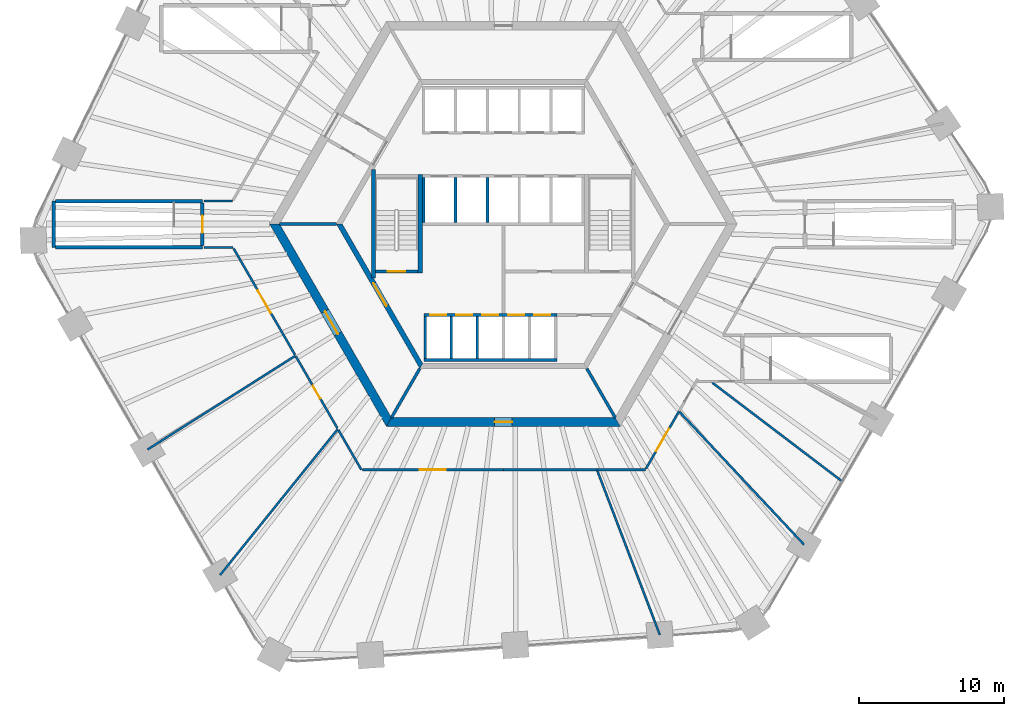
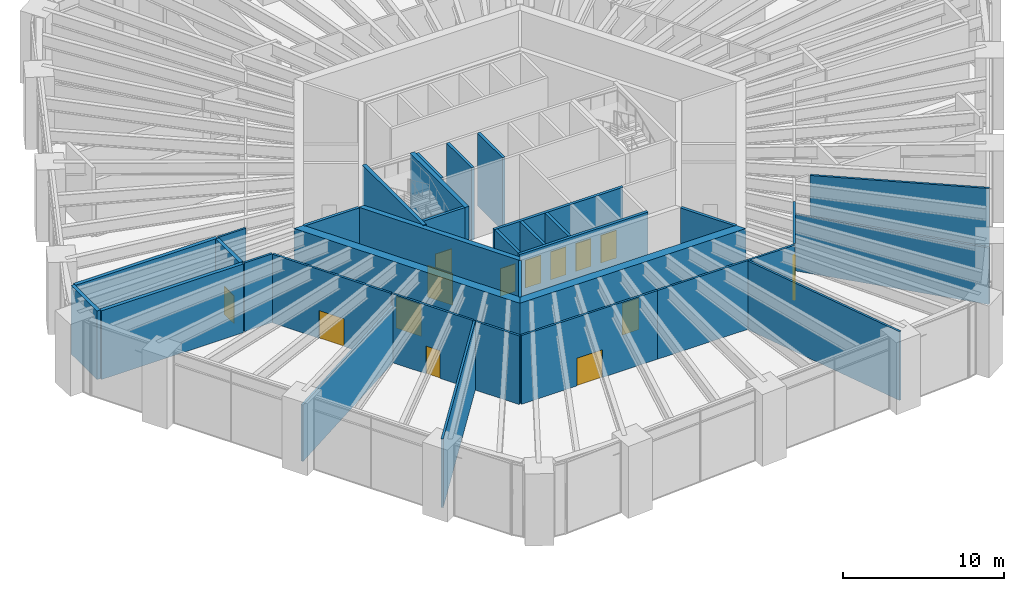
# One storey, part 20 of 25: 35 walls, 14 doors, 14 openings.
"""IFC4 building model written with IfcOpenShell, lengths in metres."""

from ifc_helpers import new_model, si_unit, direction, frame, frame_2d, origin, place, context, subcontext, project, spatial, polyline, rectangle, outline, extrude, material, layer, layer_set, type_object, element, fill, save


model = new_model("IFC4")

# Units and contexts
model_context = context("Model", 3, precision=1e-05, world=origin(), true_north=direction((0.0, 1.0)))
body_context = subcontext(model_context, "Body", "Model", "MODEL_VIEW")
ifc_project = project(units=[si_unit("LENGTHUNIT", "METRE"), si_unit("AREAUNIT", "SQUARE_METRE"), si_unit("VOLUMEUNIT", "CUBIC_METRE"), si_unit("PLANEANGLEUNIT", "RADIAN"), si_unit("MASSUNIT", "GRAM", prefix="KILO")], contexts=[model_context])

# Site, building, storey
site_placement = place(None, origin())
site = spatial("IfcSite", under=ifc_project, at=site_placement, CompositionType="ELEMENT")
building_placement = place(site_placement, origin())
building = spatial("IfcBuilding", under=site, at=building_placement, Name="Tarnside Tower", CompositionType="ELEMENT")
storey_placement = place(building_placement, frame((0.0, 0.0, 26.0)))
storey = spatial("IfcBuildingStorey", under=building, at=storey_placement, Name="L04", CompositionType="ELEMENT", Elevation=26.0)

# Wall, opening, door
ifc_material_1 = material(Name="Concrete C50/60", Category="concrete")
ifc_layer_1 = layer(ifc_material_1, 0.35009765625)
ifc_layer_set_1 = layer_set([ifc_layer_1], Name="Core block wall 350 C50/60")
wall_type_1 = type_object("IfcWallType", Name="Core block wall 350 C50/60", PredefinedType="SHEAR", material=ifc_layer_set_1)
wall_1_placement = place(storey_placement, frame((-11.344970703125, 0.0, -0.25), z_axis=(0.0, 0.0, 1.0), x_axis=(0.499995046907, -0.866028263435, 0.0)))
wall_1 = element("IfcWall", 1, at=wall_1_placement, inside=storey, type_object=wall_type_1, Name="L04 core block wall face 3", PredefinedType="SHEAR", context=body_context, shape_type="SweptSolid", body=[
    extrude(outline(polyline([(-0.10107421875, -0.175048828125), (11.44580078125, -0.175048828125), (11.24365234375, 0.175048828125), (0.10107421875, 0.175048828125), (-0.10107421875, -0.175048828125)])), origin(), (0.0, 0.0, 1.0), 5.449951171875),
])
opening_1_placement = place(wall_1_placement, frame((4.74365234375, 0.0, 0.25)))
opening_1 = element("IfcOpeningElement", 2, at=opening_1_placement, cuts=wall_1, Name="Opening CD-FFL", PredefinedType="OPENING", context=body_context, shape_type="SweptSolid", body=[
    extrude(rectangle(XDim=1.800048828125, YDim=2.39990234375, at=frame_2d((0.89990234375, 1.199951171875))), frame((0.0, 0.18505859375, 0.0), z_axis=(0.0, -1.0, 0.0), x_axis=(1.0, 0.0, 0.0)), (0.0, 0.0, 1.0), 0.3701171875),
])
ifc_material_2 = material(Name="Steel fire door", Category="steel")
door_type_1 = type_object("IfcDoorType", Name="Firefighting lobby double door FD60S 1800x2400", OperationType="NOTDEFINED", PredefinedType="DOOR", material=ifc_material_2)
door_1_placement = place(opening_1_placement, origin())
door_1 = element("IfcDoor", 3, at=door_1_placement, inside=storey, type_object=door_type_1, Name="L04 lobby block door P3", OperationType="DOUBLE_DOOR_SINGLE_SWING", OverallHeight=2.39990234375, OverallWidth=1.800048828125, PredefinedType="DOOR", context=body_context, shape_type="SweptSolid", body=[
    extrude(rectangle(XDim=1.800048828125, YDim=2.39990234375, at=frame_2d((0.89990234375, 1.199951171875))), frame((0.0, 0.02490234375, 0.0), z_axis=(0.0, -1.0, 0.0), x_axis=(1.0, 0.0, 0.0)), (0.0, 0.0, 1.0), 0.050048828125),
])
fill(opening_1, door_1)

ifc_material_3 = material(Name="Concrete C80/95", Category="concrete")
ifc_layer_2 = layer(ifc_material_3, 0.60009765625)
ifc_layer_set_2 = layer_set([ifc_layer_2], Name="Core wall Z1 600 C80/95")
wall_type_2 = type_object("IfcWallType", Name="Core wall Z1 600 C80/95", PredefinedType="SHEAR", material=ifc_layer_set_2)
wall_2_placement = place(storey_placement, frame((-15.8193359375, 0.0, -0.25), z_axis=(0.0, 0.0, 1.0), x_axis=(0.499999880136, -0.866025472988, 0.0)))
wall_2 = element("IfcWall", 4, at=wall_2_placement, inside=storey, type_object=wall_type_2, Name="L04 core wall face 3", PredefinedType="SHEAR", context=body_context, shape_type="SweptSolid", body=[
    extrude(outline(polyline([(-0.17333984375, -0.300048828125), (15.99267578125, -0.300048828125), (15.64599609375, 0.300048828125), (0.17333984375, 0.300048828125), (-0.17333984375, -0.300048828125)])), origin(), (0.0, 0.0, 1.0), 5.449951171875),
])
opening_2_placement = place(wall_2_placement, frame((6.980712890625, 0.0, 0.25)))
opening_2 = element("IfcOpeningElement", 5, at=opening_2_placement, cuts=wall_2, Name="Opening CD-FFL", PredefinedType="OPENING", context=body_context, shape_type="SweptSolid", body=[
    extrude(rectangle(XDim=1.800048828125, YDim=2.39990234375, at=frame_2d((0.89990234375, 1.199951171875))), frame((0.0, 0.31005859375, 0.0), z_axis=(0.0, -1.0, 0.0), x_axis=(1.0, 0.0, 0.0)), (0.0, 0.0, 1.0), 0.6201171875),
])
door_2_placement = place(opening_2_placement, origin())
door_2 = element("IfcDoor", 6, at=door_2_placement, inside=storey, type_object=door_type_1, Name="L04 core door P3", OperationType="DOUBLE_DOOR_SINGLE_SWING", OverallHeight=2.39990234375, OverallWidth=1.800048828125, PredefinedType="DOOR", context=body_context, shape_type="SweptSolid", body=[
    extrude(rectangle(XDim=1.800048828125, YDim=2.39990234375, at=frame_2d((0.89990234375, 1.199951171875))), frame((0.0, 0.02490234375, 0.0), z_axis=(0.0, -1.0, 0.0), x_axis=(1.0, 0.0, 0.0)), (0.0, 0.0, 1.0), 0.050048828125),
])
fill(opening_2, door_2)

wall_3_placement = place(storey_placement, frame((-7.90966796875, -13.699951171875, -0.25), z_axis=(0.0, 0.0, 1.0), x_axis=(1.0, 0.0, 0.0)))
wall_3 = element("IfcWall", 7, at=wall_3_placement, inside=storey, type_object=wall_type_2, Name="L04 core wall face 4", PredefinedType="SHEAR", context=body_context, shape_type="SweptSolid", body=[
    extrude(outline(polyline([(-0.17333984375, -0.300048828125), (15.99267578125, -0.300048828125), (15.64599609375, 0.300048828125), (0.17333984375, 0.300048828125), (-0.17333984375, -0.300048828125)])), origin(), (0.0, 0.0, 1.0), 5.449951171875),
])
opening_3_placement = place(wall_3_placement, frame((7.309814453125, 0.0, 0.25)))
opening_3 = element("IfcOpeningElement", 8, at=opening_3_placement, cuts=wall_3, Name="Opening CD-RSR", PredefinedType="OPENING", context=body_context, shape_type="SweptSolid", body=[
    extrude(rectangle(XDim=1.199951171875, YDim=2.39990234375, at=frame_2d((0.60009765625, 1.199951171875))), frame((0.0, 0.31005859375, 0.0), z_axis=(0.0, -1.0, 0.0), x_axis=(1.0, 0.0, 0.0)), (0.0, 0.0, 1.0), 0.6201171875),
])
door_type_2 = type_object("IfcDoorType", Name="Riser door FD60 1200x2400", OperationType="NOTDEFINED", PredefinedType="DOOR", material=ifc_material_2)
door_3_placement = place(opening_3_placement, origin())
door_3 = element("IfcDoor", 9, at=door_3_placement, inside=storey, type_object=door_type_2, Name="L04 core door S6", OperationType="SINGLE_SWING_LEFT", OverallHeight=2.39990234375, OverallWidth=1.199951171875, PredefinedType="DOOR", context=body_context, shape_type="SweptSolid", body=[
    extrude(rectangle(XDim=1.199951171875, YDim=2.39990234375, at=frame_2d((0.60009765625, 1.199951171875))), frame((0.0, 0.02490234375, 0.0), z_axis=(0.0, -1.0, 0.0), x_axis=(1.0, 0.0, 0.0)), (0.0, 0.0, 1.0), 0.050048828125),
])
fill(opening_3, door_3)

# Walls
ifc_material_4 = material(Name="Concrete C40/50", Category="concrete")
ifc_layer_3 = layer(ifc_material_4, 0.199951171875)
ifc_layer_set_3 = layer_set([ifc_layer_3], Name="Lift shaft wall 200 C40/50")
wall_type_3 = type_object("IfcWallType", Name="Lift shaft wall 200 C40/50", PredefinedType="SHEAR", material=ifc_layer_set_3)
for number, where, z_axis, x_axis, name in (
    (10, (-5.5, 0.10009765625, -0.25), (0.0, 0.0, 1.0), (0.0, 1.0, 0.0), "L04 lift shaft partition R21"),
    (11, (-3.300048828125, 0.10009765625, -0.25), (0.0, 0.0, 1.0), (0.0, 1.0, 0.0), "L04 lift shaft partition R22"),
    (12, (-1.10009765625, 0.10009765625, -0.25), (0.0, 0.0, 1.0), (0.0, 1.0, 0.0), "L04 lift shaft partition R23"),
):
    element("IfcWall", number, at=place(storey_placement, frame(where, z_axis=z_axis, x_axis=x_axis)), inside=storey, type_object=wall_type_3, Name=name, PredefinedType="SHEAR", context=body_context, shape_type="SweptSolid", body=[
        extrude(rectangle(XDim=3.099853515625, YDim=0.199951171875, at=frame_2d((1.5498046875, 0.0))), origin(), (0.0, 0.0, 1.0), 5.5),
    ])

# Wall, openings, doors
wall_4_placement = place(storey_placement, frame((-5.5, -6.300048828125, -0.25), z_axis=(0.0, 0.0, 1.0), x_axis=(1.0, 0.0, 0.0)))
wall_4 = element("IfcWall", 13, at=wall_4_placement, inside=storey, type_object=wall_type_3, Name="L04 lift shaft front wall R4", PredefinedType="SHEAR", context=body_context, shape_type="SweptSolid", body=[
    extrude(rectangle(XDim=9.199951171875, YDim=0.199951171875, at=frame_2d((4.60009765625, 0.0))), origin(), (0.0, 0.0, 1.0), 5.5),
])
opening_4_placement = place(wall_4_placement, frame((0.449951171875, 0.0, 0.25)))
opening_4 = element("IfcOpeningElement", 14, at=opening_4_placement, cuts=wall_4, Name="Opening LDF", PredefinedType="OPENING", context=body_context, shape_type="SweptSolid", body=[
    extrude(rectangle(XDim=1.10009765625, YDim=2.10009765625, at=frame_2d((0.550048828125, 1.050048828125))), frame((0.0, 0.10986328125, 0.0), z_axis=(0.0, -1.0, 0.0), x_axis=(1.0, 0.0, 0.0)), (0.0, 0.0, 1.0), 0.219970703125),
])
opening_5_placement = place(wall_4_placement, frame((2.25, 0.0, 0.25)))
opening_5 = element("IfcOpeningElement", 15, at=opening_5_placement, cuts=wall_4, Name="Opening LDF", PredefinedType="OPENING", context=body_context, shape_type="SweptSolid", body=[
    extrude(rectangle(XDim=1.10009765625, YDim=2.10009765625, at=frame_2d((0.550048828125, 1.050048828125))), frame((0.0, 0.10986328125, 0.0), z_axis=(0.0, -1.0, 0.0), x_axis=(1.0, 0.0, 0.0)), (0.0, 0.0, 1.0), 0.219970703125),
])
opening_6_placement = place(wall_4_placement, frame((4.050048828125, 0.0, 0.25)))
opening_6 = element("IfcOpeningElement", 16, at=opening_6_placement, cuts=wall_4, Name="Opening LDF", PredefinedType="OPENING", context=body_context, shape_type="SweptSolid", body=[
    extrude(rectangle(XDim=1.10009765625, YDim=2.10009765625, at=frame_2d((0.550048828125, 1.050048828125))), frame((0.0, 0.10986328125, 0.0), z_axis=(0.0, -1.0, 0.0), x_axis=(1.0, 0.0, 0.0)), (0.0, 0.0, 1.0), 0.219970703125),
])
opening_7_placement = place(wall_4_placement, frame((5.85009765625, 0.0, 0.25)))
opening_7 = element("IfcOpeningElement", 17, at=opening_7_placement, cuts=wall_4, Name="Opening LDF", PredefinedType="OPENING", context=body_context, shape_type="SweptSolid", body=[
    extrude(rectangle(XDim=1.10009765625, YDim=2.10009765625, at=frame_2d((0.550048828125, 1.050048828125))), frame((0.0, 0.10986328125, 0.0), z_axis=(0.0, -1.0, 0.0), x_axis=(1.0, 0.0, 0.0)), (0.0, 0.0, 1.0), 0.219970703125),
])
opening_8_placement = place(wall_4_placement, frame((7.64990234375, 0.0, 0.25)))
opening_8 = element("IfcOpeningElement", 18, at=opening_8_placement, cuts=wall_4, Name="Opening LDF", PredefinedType="OPENING", context=body_context, shape_type="SweptSolid", body=[
    extrude(rectangle(XDim=1.10009765625, YDim=2.10009765625, at=frame_2d((0.550048828125, 1.050048828125))), frame((0.0, 0.10986328125, 0.0), z_axis=(0.0, -1.0, 0.0), x_axis=(1.0, 0.0, 0.0)), (0.0, 0.0, 1.0), 0.219970703125),
])
ifc_material_5 = material(Name="Stainless steel", Category="steel")
door_type_3 = type_object("IfcDoorType", Name="Lift landing door 1100x2100 EI 120", OperationType="NOTDEFINED", PredefinedType="DOOR", material=ifc_material_5)
door_4_placement = place(opening_4_placement, origin())
door_4 = element("IfcDoor", 19, at=door_4_placement, inside=storey, type_object=door_type_3, Name="Firefighting lift 1 landing door L04", OperationType="SLIDING_TO_LEFT", OverallHeight=2.10009765625, OverallWidth=1.10009765625, PredefinedType="DOOR", context=body_context, shape_type="SweptSolid", body=[
    extrude(rectangle(XDim=1.10009765625, YDim=2.10009765625, at=frame_2d((0.550048828125, 1.050048828125))), frame((0.0, 0.02490234375, 0.0), z_axis=(0.0, -1.0, 0.0), x_axis=(1.0, 0.0, 0.0)), (0.0, 0.0, 1.0), 0.050048828125),
])
fill(opening_4, door_4)
door_5_placement = place(opening_5_placement, origin())
door_5 = element("IfcDoor", 20, at=door_5_placement, inside=storey, type_object=door_type_3, Name="Firefighting lift 2 landing door L04", OperationType="SLIDING_TO_LEFT", OverallHeight=2.10009765625, OverallWidth=1.10009765625, PredefinedType="DOOR", context=body_context, shape_type="SweptSolid", body=[
    extrude(rectangle(XDim=1.10009765625, YDim=2.10009765625, at=frame_2d((0.550048828125, 1.050048828125))), frame((0.0, 0.02490234375, 0.0), z_axis=(0.0, -1.0, 0.0), x_axis=(1.0, 0.0, 0.0)), (0.0, 0.0, 1.0), 0.050048828125),
])
fill(opening_5, door_5)
door_6_placement = place(opening_6_placement, origin())
door_6 = element("IfcDoor", 21, at=door_6_placement, inside=storey, type_object=door_type_3, Name="Firefighting lift 3 landing door L04", OperationType="SLIDING_TO_LEFT", OverallHeight=2.10009765625, OverallWidth=1.10009765625, PredefinedType="DOOR", context=body_context, shape_type="SweptSolid", body=[
    extrude(rectangle(XDim=1.10009765625, YDim=2.10009765625, at=frame_2d((0.550048828125, 1.050048828125))), frame((0.0, 0.02490234375, 0.0), z_axis=(0.0, -1.0, 0.0), x_axis=(1.0, 0.0, 0.0)), (0.0, 0.0, 1.0), 0.050048828125),
])
fill(opening_6, door_6)
door_7_placement = place(opening_7_placement, origin())
door_7 = element("IfcDoor", 22, at=door_7_placement, inside=storey, type_object=door_type_3, Name="Firefighting lift 4 landing door L04", OperationType="SLIDING_TO_LEFT", OverallHeight=2.10009765625, OverallWidth=1.10009765625, PredefinedType="DOOR", context=body_context, shape_type="SweptSolid", body=[
    extrude(rectangle(XDim=1.10009765625, YDim=2.10009765625, at=frame_2d((0.550048828125, 1.050048828125))), frame((0.0, 0.02490234375, 0.0), z_axis=(0.0, -1.0, 0.0), x_axis=(1.0, 0.0, 0.0)), (0.0, 0.0, 1.0), 0.050048828125),
])
fill(opening_7, door_7)
door_8_placement = place(opening_8_placement, origin())
door_8 = element("IfcDoor", 23, at=door_8_placement, inside=storey, type_object=door_type_3, Name="Firefighting lift 5 landing door L04", OperationType="SLIDING_TO_LEFT", OverallHeight=2.10009765625, OverallWidth=1.10009765625, PredefinedType="DOOR", context=body_context, shape_type="SweptSolid", body=[
    extrude(rectangle(XDim=1.10009765625, YDim=2.10009765625, at=frame_2d((0.550048828125, 1.050048828125))), frame((0.0, 0.02490234375, 0.0), z_axis=(0.0, -1.0, 0.0), x_axis=(1.0, 0.0, 0.0)), (0.0, 0.0, 1.0), 0.050048828125),
])
fill(opening_8, door_8)

# Walls
wall_5_placement = place(storey_placement, frame((-5.5, -9.39990234375, -0.25), z_axis=(0.0, 0.0, 1.0), x_axis=(1.0, 0.0, 0.0)))
element("IfcWall", 24, at=wall_5_placement, inside=storey, type_object=wall_type_3, Name="L04 lift shaft back wall R4", PredefinedType="SHEAR", context=body_context, shape_type="SweptSolid", body=[
    extrude(rectangle(XDim=9.199951171875, YDim=0.199951171875, at=frame_2d((4.60009765625, 0.0))), origin(), (0.0, 0.0, 1.0), 5.5),
])
for number, where, z_axis, x_axis, name in (
    (25, (-5.39990234375, -9.300048828125, -0.25), (0.0, 0.0, 1.0), (0.0, 1.0, 0.0), "L04 lift shaft partition R41"),
    (26, (-3.60009765625, -9.300048828125, -0.25), (0.0, 0.0, 1.0), (0.0, 1.0, 0.0), "L04 lift shaft partition R42"),
    (27, (-1.800048828125, -9.300048828125, -0.25), (0.0, 0.0, 1.0), (0.0, 1.0, 0.0), "L04 lift shaft partition R43"),
):
    element("IfcWall", number, at=place(storey_placement, frame(where, z_axis=z_axis, x_axis=x_axis)), inside=storey, type_object=wall_type_3, Name=name, PredefinedType="SHEAR", context=body_context, shape_type="SweptSolid", body=[
        extrude(rectangle(XDim=2.900146484375, YDim=0.199951171875, at=frame_2d((1.4501953125, 0.0))), origin(), (0.0, 0.0, 1.0), 5.5),
    ])
wall_6_placement = place(storey_placement, frame((-11.547119140625, 0.0, -0.25), z_axis=(0.0, 0.0, 1.0), x_axis=(-1.0, 0.0, 0.0)))
element("IfcWall", 28, at=wall_6_placement, inside=storey, type_object=wall_type_3, Name="L04 core partition AR180", PredefinedType="SHEAR", context=body_context, shape_type="SweptSolid", body=[
    extrude(rectangle(XDim=3.92578125, YDim=0.199951171875, at=frame_2d((1.962890625, 0.0))), origin(), (0.0, 0.0, 1.0), 5.449951171875),
])
for number, where, z_axis, x_axis, name in (
    (29, (-5.7734375, -10.0, -0.25), (0.0, 0.0, 1.0), (-0.500038251005, -0.86600331843, 0.0), "L04 core partition AR240"),
    (30, (5.7734375, -10.0, -0.25), (0.0, 0.0, 1.0), (0.500038251005, -0.86600331843, 0.0), "L04 core partition AR300"),
):
    element("IfcWall", number, at=place(storey_placement, frame(where, z_axis=z_axis, x_axis=x_axis)), inside=storey, type_object=wall_type_3, Name=name, PredefinedType="SHEAR", context=body_context, shape_type="SweptSolid", body=[
        extrude(rectangle(XDim=3.926025390625, YDim=0.199951171875, at=frame_2d((1.962890625, 0.0))), origin(), (0.0, 0.0, 1.0), 5.449951171875),
    ])

# Wall, opening, door
wall_7_placement = place(storey_placement, frame((-8.85009765625, -3.300048828125, -0.25), z_axis=(0.0, 0.0, 1.0), x_axis=(1.0, 0.0, 0.0)))
wall_7 = element("IfcWall", 31, at=wall_7_placement, inside=storey, type_object=wall_type_3, Name="L04 stair 2 enclosure cap wall s", PredefinedType="SHEAR", context=body_context, shape_type="SweptSolid", body=[
    extrude(rectangle(XDim=2.9501953125, YDim=0.199951171875, at=frame_2d((1.47509765625, 0.0))), origin(), (0.0, 0.0, 1.0), 5.5),
])
opening_9_placement = place(wall_7_placement, frame((0.875, 0.0, 0.25)))
opening_9 = element("IfcOpeningElement", 32, at=opening_9_placement, cuts=wall_7, Name="Opening CD-STR", PredefinedType="OPENING", context=body_context, shape_type="SweptSolid", body=[
    extrude(rectangle(XDim=1.199951171875, YDim=2.39990234375, at=frame_2d((0.60009765625, 1.199951171875))), frame((0.0, 0.10986328125, 0.0), z_axis=(0.0, -1.0, 0.0), x_axis=(1.0, 0.0, 0.0)), (0.0, 0.0, 1.0), 0.219970703125),
])
door_type_4 = type_object("IfcDoorType", Name="Stair door FD60S 1200x2400", OperationType="NOTDEFINED", PredefinedType="DOOR", material=ifc_material_2)
door_9_placement = place(opening_9_placement, origin())
door_9 = element("IfcDoor", 33, at=door_9_placement, inside=storey, type_object=door_type_4, Name="L04 stair 2 door", OperationType="SINGLE_SWING_LEFT", OverallHeight=2.39990234375, OverallWidth=1.199951171875, PredefinedType="DOOR", context=body_context, shape_type="SweptSolid", body=[
    extrude(rectangle(XDim=1.199951171875, YDim=2.39990234375, at=frame_2d((0.60009765625, 1.199951171875))), frame((0.0, 0.02490234375, 0.0), z_axis=(0.0, -1.0, 0.0), x_axis=(1.0, 0.0, 0.0)), (0.0, 0.0, 1.0), 0.050048828125),
])
fill(opening_9, door_9)

# Walls
ifc_material_6 = material(Name="Gypsum board")
ifc_layer_4 = layer(ifc_material_6, 0.14990234375)
ifc_layer_set_4 = layer_set([ifc_layer_4], Name="Partition 150 gypsum board on metal stud")
wall_type_4 = type_object("IfcWallType", Name="Partition 150 gypsum board on metal stud", PredefinedType="PARTITIONING", material=ifc_layer_set_4)
wall_8_placement = place(storey_placement, frame((-24.595947265625, -15.59912109375, 0.0), z_axis=(0.0, 0.0, 1.0), x_axis=(0.844484782983, 0.535579547136, 0.0)))
element("IfcWall", 34, at=wall_8_placement, inside=storey, type_object=wall_type_4, Name="Partition 002", PredefinedType="PARTITIONING", context=body_context, shape_type="SweptSolid", body=[
    extrude(rectangle(XDim=12.1103515625, YDim=0.14990234375, at=frame_2d((6.05517578125, 0.0))), origin(), (0.0, 0.0, 1.0), 4.2734375),
])
wall_9_placement = place(storey_placement, frame((-20.679931640625, 1.574951171875, 0.0), z_axis=(0.0, 0.0, 1.0), x_axis=(1.0, 0.0, 0.0)))
element("IfcWall", 35, at=wall_9_placement, inside=storey, type_object=wall_type_4, Name="Partition 008", PredefinedType="PARTITIONING", context=body_context, shape_type="SweptSolid", body=[
    extrude(rectangle(XDim=1.958984375, YDim=0.14990234375, at=frame_2d((0.9794921875, 0.0))), origin(), (0.0, 0.0, 1.0), 5.199951171875),
])
wall_10_placement = place(storey_placement, frame((-19.583984375, -24.280029296875, 0.0), z_axis=(0.0, 0.0, 1.0), x_axis=(0.627807267634, 0.77836882948, 0.0)))
element("IfcWall", 36, at=wall_10_placement, inside=storey, type_object=wall_type_4, Name="Partition 009", PredefinedType="PARTITIONING", context=body_context, shape_type="SweptSolid", body=[
    extrude(rectangle(XDim=12.970703125, YDim=0.14990234375, at=frame_2d((6.4853515625, 0.0))), origin(), (0.0, 0.0, 1.0), 5.199951171875),
])
wall_11_placement = place(storey_placement, frame((-18.69189453125, -1.625, 0.0), z_axis=(0.0, 0.0, 1.0), x_axis=(-1.0, 0.0, 0.0)))
element("IfcWall", 37, at=wall_11_placement, inside=storey, type_object=wall_type_4, Name="Partition 010", PredefinedType="PARTITIONING", context=body_context, shape_type="SweptSolid", body=[
    extrude(rectangle(XDim=1.988037109375, YDim=0.14990234375, at=frame_2d((0.994140625, 0.0))), origin(), (0.0, 0.0, 1.0), 5.199951171875),
])

# Wall, opening, door
wall_12_placement = place(storey_placement, frame((-18.648681640625, -1.699951171875, 0.0), z_axis=(0.0, 0.0, 1.0), x_axis=(0.499976511579, -0.866038964406, 0.0)))
wall_12 = element("IfcWall", 38, at=wall_12_placement, inside=storey, type_object=wall_type_4, Name="Partition 011", PredefinedType="PARTITIONING", context=body_context, shape_type="SweptSolid", body=[
    extrude(rectangle(XDim=8.48486328125, YDim=0.14990234375, at=frame_2d((4.242431640625, 0.0))), origin(), (0.0, 0.0, 1.0), 5.199951171875),
])
opening_10_placement = place(wall_12_placement, frame((3.34228515625, 0.0, 0.0)))
opening_10 = element("IfcOpeningElement", 39, at=opening_10_placement, cuts=wall_12, Name="Opening D1800F30", PredefinedType="OPENING", context=body_context, shape_type="SweptSolid", body=[
    extrude(rectangle(XDim=1.800048828125, YDim=2.10009765625, at=frame_2d((0.89990234375, 1.050048828125))), frame((0.0, 0.0849609375, 0.0), z_axis=(0.0, -1.0, 0.0), x_axis=(1.0, 0.0, 0.0)), (0.0, 0.0, 1.0), 0.169921875),
])
ifc_material_7 = material(Name="Timber door leaf", Category="wood")
door_type_5 = type_object("IfcDoorType", Name="Door pair 1800 x 2100 FD30S fire door", OperationType="NOTDEFINED", PredefinedType="DOOR", material=ifc_material_7)
door_10_placement = place(opening_10_placement, origin())
door_10 = element("IfcDoor", 40, at=door_10_placement, inside=storey, type_object=door_type_5, Name="Door L04-02", OperationType="DOUBLE_DOOR_SINGLE_SWING", OverallHeight=2.10009765625, OverallWidth=1.800048828125, PredefinedType="DOOR", context=body_context, shape_type="SweptSolid", body=[
    extrude(rectangle(XDim=1.800048828125, YDim=2.10009765625, at=frame_2d((0.89990234375, 1.050048828125))), frame((0.0, 0.02490234375, 0.0), z_axis=(0.0, -1.0, 0.0), x_axis=(1.0, 0.0, 0.0)), (0.0, 0.0, 1.0), 0.050048828125),
])
fill(opening_10, door_10)

wall_13_placement = place(storey_placement, frame((-11.481201171875, -14.1142578125, 0.0), z_axis=(0.0, 0.0, 1.0), x_axis=(-0.500049947645, 0.865996564577, 0.0)))
wall_13 = element("IfcWall", 41, at=wall_13_placement, inside=storey, type_object=wall_type_4, Name="Partition 014", PredefinedType="PARTITIONING", context=body_context, shape_type="SweptSolid", body=[
    extrude(rectangle(XDim=5.7001953125, YDim=0.14990234375, at=frame_2d((2.85009765625, 0.0))), origin(), (0.0, 0.0, 1.0), 5.199951171875),
])
opening_11_placement = place(wall_13_placement, frame((2.35009765625, 0.0, 0.0)))
opening_11 = element("IfcOpeningElement", 42, at=opening_11_placement, cuts=wall_13, Name="Opening D1000F30", PredefinedType="OPENING", context=body_context, shape_type="SweptSolid", body=[
    extrude(rectangle(XDim=1.0, YDim=2.10009765625, at=frame_2d((0.5, 1.050048828125))), frame((0.0, 0.0849609375, 0.0), z_axis=(0.0, -1.0, 0.0), x_axis=(1.0, 0.0, 0.0)), (0.0, 0.0, 1.0), 0.169921875),
])
door_type_6 = type_object("IfcDoorType", Name="Door 1000 x 2100 single leaf FD30S fire door", OperationType="NOTDEFINED", PredefinedType="DOOR", material=ifc_material_7)
door_11_placement = place(opening_11_placement, origin())
door_11 = element("IfcDoor", 43, at=door_11_placement, inside=storey, type_object=door_type_6, Name="Door L04-03", OperationType="SINGLE_SWING_RIGHT", OverallHeight=2.10009765625, OverallWidth=1.0, PredefinedType="DOOR", context=body_context, shape_type="SweptSolid", body=[
    extrude(rectangle(XDim=1.0, YDim=2.10009765625, at=frame_2d((0.5, 1.050048828125))), frame((0.0, 0.02490234375, 0.0), z_axis=(0.0, -1.0, 0.0), x_axis=(1.0, 0.0, 0.0)), (0.0, 0.0, 1.0), 0.050048828125),
])
fill(opening_11, door_11)

# Wall
wall_14_placement = place(storey_placement, frame((-11.40087890625, -14.253662109375, 0.0), z_axis=(0.0, 0.0, 1.0), x_axis=(0.500080068905, -0.865979171045, 0.0)))
element("IfcWall", 44, at=wall_14_placement, inside=storey, type_object=wall_type_4, Name="Partition 021", PredefinedType="PARTITIONING", context=body_context, shape_type="SweptSolid", body=[
    extrude(rectangle(XDim=3.17138671875, YDim=0.14990234375, at=frame_2d((1.585693359375, 0.0))), origin(), (0.0, 0.0, 1.0), 5.199951171875),
])

# Wall, opening, door
wall_15_placement = place(storey_placement, frame((0.0, -17.0, 0.0), z_axis=(0.0, 0.0, 1.0), x_axis=(-1.0, 0.0, 0.0)))
wall_15 = element("IfcWall", 45, at=wall_15_placement, inside=storey, type_object=wall_type_4, Name="Partition 029", PredefinedType="PARTITIONING", context=body_context, shape_type="SweptSolid", body=[
    extrude(rectangle(XDim=9.728515625, YDim=0.14990234375, at=frame_2d((4.8642578125, 0.0))), origin(), (0.0, 0.0, 1.0), 5.199951171875),
])
opening_12_placement = place(wall_15_placement, frame((3.964111328125, 0.0, 0.0)))
opening_12 = element("IfcOpeningElement", 46, at=opening_12_placement, cuts=wall_15, Name="Opening D1800F30", PredefinedType="OPENING", context=body_context, shape_type="SweptSolid", body=[
    extrude(rectangle(XDim=1.800048828125, YDim=2.10009765625, at=frame_2d((0.89990234375, 1.050048828125))), frame((0.0, 0.0849609375, 0.0), z_axis=(0.0, -1.0, 0.0), x_axis=(1.0, 0.0, 0.0)), (0.0, 0.0, 1.0), 0.169921875),
])
door_12_placement = place(opening_12_placement, origin())
door_12 = element("IfcDoor", 47, at=door_12_placement, inside=storey, type_object=door_type_5, Name="Door L04-08", OperationType="DOUBLE_DOOR_SINGLE_SWING", OverallHeight=2.10009765625, OverallWidth=1.800048828125, PredefinedType="DOOR", context=body_context, shape_type="SweptSolid", body=[
    extrude(rectangle(XDim=1.800048828125, YDim=2.10009765625, at=frame_2d((0.89990234375, 1.050048828125))), frame((0.0, 0.02490234375, 0.0), z_axis=(0.0, -1.0, 0.0), x_axis=(1.0, 0.0, 0.0)), (0.0, 0.0, 1.0), 0.050048828125),
])
fill(opening_12, door_12)

# Walls
wall_16_placement = place(storey_placement, frame((0.0, -17.0, 0.0), z_axis=(0.0, 0.0, 1.0), x_axis=(1.0, 0.0, 0.0)))
element("IfcWall", 48, at=wall_16_placement, inside=storey, type_object=wall_type_4, Name="Partition 032", PredefinedType="PARTITIONING", context=body_context, shape_type="SweptSolid", body=[
    extrude(rectangle(XDim=6.47412109375, YDim=0.14990234375, at=frame_2d((3.237060546875, 0.0))), origin(), (0.0, 0.0, 1.0), 5.199951171875),
])
wall_17_placement = place(storey_placement, frame((6.47412109375, -17.0, 0.0), z_axis=(0.0, 0.0, 1.0), x_axis=(1.0, 0.0, 0.0)))
element("IfcWall", 49, at=wall_17_placement, inside=storey, type_object=wall_type_4, Name="Partition 035", PredefinedType="PARTITIONING", context=body_context, shape_type="SweptSolid", body=[
    extrude(rectangle(XDim=3.3408203125, YDim=0.14990234375, at=frame_2d((1.67041015625, 0.0))), origin(), (0.0, 0.0, 1.0), 5.199951171875),
])

# Wall, opening, door
wall_18_placement = place(storey_placement, frame((12.14794921875, -12.958984375, 0.0), z_axis=(0.0, 0.0, 1.0), x_axis=(-0.499957811549, -0.866049759928, 0.0)))
wall_18 = element("IfcWall", 50, at=wall_18_placement, inside=storey, type_object=wall_type_4, Name="Partition 038", PredefinedType="PARTITIONING", context=body_context, shape_type="SweptSolid", body=[
    extrude(rectangle(XDim=4.57958984375, YDim=0.14990234375, at=frame_2d((2.289794921875, 0.0))), origin(), (0.0, 0.0, 1.0), 5.199951171875),
])
opening_13_placement = place(wall_18_placement, frame((1.3896484375, 0.0, 0.0)))
opening_13 = element("IfcOpeningElement", 51, at=opening_13_placement, cuts=wall_18, Name="Opening D1800F30", PredefinedType="OPENING", context=body_context, shape_type="SweptSolid", body=[
    extrude(rectangle(XDim=1.800048828125, YDim=2.10009765625, at=frame_2d((0.89990234375, 1.050048828125))), frame((0.0, 0.0849609375, 0.0), z_axis=(0.0, -1.0, 0.0), x_axis=(1.0, 0.0, 0.0)), (0.0, 0.0, 1.0), 0.169921875),
])
door_13_placement = place(opening_13_placement, origin())
door_13 = element("IfcDoor", 52, at=door_13_placement, inside=storey, type_object=door_type_5, Name="Door L04-12", OperationType="DOUBLE_DOOR_SINGLE_SWING", OverallHeight=2.10009765625, OverallWidth=1.800048828125, PredefinedType="DOOR", context=body_context, shape_type="SweptSolid", body=[
    extrude(rectangle(XDim=1.800048828125, YDim=2.10009765625, at=frame_2d((0.89990234375, 1.050048828125))), frame((0.0, 0.02490234375, 0.0), z_axis=(0.0, -1.0, 0.0), x_axis=(1.0, 0.0, 0.0)), (0.0, 0.0, 1.0), 0.050048828125),
])
fill(opening_13, door_13)

# Walls
wall_19_placement = place(storey_placement, frame((10.821044921875, -28.4140625, 0.0), z_axis=(0.0, 0.0, 1.0), x_axis=(-0.355901613379, 0.934523430201, 0.0)))
element("IfcWall", 53, at=wall_19_placement, inside=storey, type_object=wall_type_4, Name="Partition 040", PredefinedType="PARTITIONING", context=body_context, shape_type="SweptSolid", body=[
    extrude(rectangle(XDim=12.133544921875, YDim=0.14990234375, at=frame_2d((6.06689453125, 0.0))), origin(), (0.0, 0.0, 1.0), 5.199951171875),
])
wall_20_placement = place(storey_placement, frame((20.794921875, -22.181884765625, 0.0), z_axis=(0.0, 0.0, 1.0), x_axis=(-0.683955995382, 0.729523266511, 0.0)))
element("IfcWall", 54, at=wall_20_placement, inside=storey, type_object=wall_type_4, Name="Partition 061", PredefinedType="PARTITIONING", context=body_context, shape_type="SweptSolid", body=[
    extrude(rectangle(XDim=12.56396484375, YDim=0.14990234375, at=frame_2d((6.281982421875, 0.0))), origin(), (0.0, 0.0, 1.0), 4.2734375),
])
wall_21_placement = place(storey_placement, frame((23.35498046875, -17.748046875, 0.0), z_axis=(0.0, 0.0, 1.0), x_axis=(-0.796181106224, 0.605058382383, 0.0)))
element("IfcWall", 55, at=wall_21_placement, inside=storey, type_object=wall_type_4, Name="Partition 066", PredefinedType="PARTITIONING", context=body_context, shape_type="SweptSolid", body=[
    extrude(rectangle(XDim=11.19384765625, YDim=0.14990234375, at=frame_2d((5.596923828125, 0.0))), origin(), (0.0, 0.0, 1.0), 5.199951171875),
])
ifc_layer_5 = layer(ifc_material_4, 0.25)
ifc_layer_set_5 = layer_set([ifc_layer_5], Name="Stair enclosure wall 250 C40/50")
wall_type_5 = type_object("IfcWallType", Name="Stair enclosure wall 250 C40/50", PredefinedType="SHEAR", material=ifc_layer_set_5)
wall_22_placement = place(storey_placement, frame((-8.97509765625, -3.7548828125, -0.25), z_axis=(0.0, 0.0, 1.0), x_axis=(0.0, 1.0, 0.0)))
element("IfcWall", 56, at=wall_22_placement, inside=storey, type_object=wall_type_5, Name="L04 stair 2 enclosure wall outer", PredefinedType="SHEAR", context=body_context, shape_type="SweptSolid", body=[
    extrude(rectangle(XDim=7.509765625, YDim=0.25, at=frame_2d((3.7548828125, 0.0))), origin(), (0.0, 0.0, 1.0), 5.5),
])
ifc_layer_6 = layer(ifc_material_4, 0.300048828125)
ifc_layer_set_6 = layer_set([ifc_layer_6], Name="Stair enclosure wall 300 C40/50")
wall_type_6 = type_object("IfcWallType", Name="Stair enclosure wall 300 C40/50", PredefinedType="SHEAR", material=ifc_layer_set_6)
wall_23_placement = place(storey_placement, frame((-5.75, -3.39990234375, -0.25), z_axis=(0.0, 0.0, 1.0), x_axis=(0.0, 1.0, 0.0)))
element("IfcWall", 57, at=wall_23_placement, inside=storey, type_object=wall_type_6, Name="L04 stair 2 enclosure wall inner", PredefinedType="SHEAR", context=body_context, shape_type="SweptSolid", body=[
    extrude(rectangle(XDim=6.7998046875, YDim=0.300048828125, at=frame_2d((3.39990234375, 0.0))), origin(), (0.0, 0.0, 1.0), 5.5),
])
ifc_material_8 = material(Name="Concrete C32/40", Category="concrete")
ifc_layer_7 = layer(ifc_material_8, 0.25)
ifc_layer_set_7 = layer_set([ifc_layer_7], Name="Wall 250 reinforced Concrete C32/40")
wall_type_7 = type_object("IfcWallType", Name="Wall 250 reinforced Concrete C32/40", PredefinedType="PARTITIONING", material=ifc_layer_set_7)
wall_24_placement = place(storey_placement, frame((-31.074951171875, -1.625, 0.0), z_axis=(0.0, 0.0, 1.0), x_axis=(0.0, 1.0, 0.0)))
element("IfcWall", 58, at=wall_24_placement, inside=storey, type_object=wall_type_7, Name="Partition 000", PredefinedType="PARTITIONING", context=body_context, shape_type="SweptSolid", body=[
    extrude(rectangle(XDim=3.199951171875, YDim=0.25, at=frame_2d((1.60009765625, 0.0))), origin(), (0.0, 0.0, 1.0), 5.199951171875),
])
for number, where, z_axis, x_axis, name in (
    (59, (-30.949951171875, 1.574951171875, 0.0), (0.0, 0.0, 1.0), (1.0, 0.0, 0.0), "Partition 001"),
    (60, (-20.804931640625, -1.625, 0.0), (0.0, 0.0, 1.0), (-1.0, 0.0, 0.0), "Partition 006"),
):
    element("IfcWall", number, at=place(storey_placement, frame(where, z_axis=z_axis, x_axis=x_axis)), inside=storey, type_object=wall_type_7, Name=name, PredefinedType="PARTITIONING", context=body_context, shape_type="SweptSolid", body=[
        extrude(rectangle(XDim=10.14501953125, YDim=0.25, at=frame_2d((5.072509765625, 0.0))), origin(), (0.0, 0.0, 1.0), 5.199951171875),
    ])

# Wall, opening, door
wall_25_placement = place(storey_placement, frame((-20.804931640625, 1.449951171875, 0.0), z_axis=(0.0, 0.0, 1.0), x_axis=(0.0, -1.0, 0.0)))
wall_25 = element("IfcWall", 61, at=wall_25_placement, inside=storey, type_object=wall_type_7, Name="Partition 007", PredefinedType="PARTITIONING", context=body_context, shape_type="SweptSolid", body=[
    extrude(rectangle(XDim=2.949951171875, YDim=0.25, at=frame_2d((1.47509765625, 0.0))), origin(), (0.0, 0.0, 1.0), 5.199951171875),
])
opening_14_placement = place(wall_25_placement, frame((0.875, 0.0, 0.0)))
opening_14 = element("IfcOpeningElement", 62, at=opening_14_placement, cuts=wall_25, Name="Opening D1200F60S", PredefinedType="OPENING", context=body_context, shape_type="SweptSolid", body=[
    extrude(rectangle(XDim=1.199951171875, YDim=2.10009765625, at=frame_2d((0.60009765625, 1.050048828125))), frame((0.0, 0.135009765625, 0.0), z_axis=(0.0, -1.0, 0.0), x_axis=(1.0, 0.0, 0.0)), (0.0, 0.0, 1.0), 0.27001953125),
])
door_type_7 = type_object("IfcDoorType", Name="Door 1200 x 2100 single leaf FD60S fire door", OperationType="NOTDEFINED", PredefinedType="DOOR", material=ifc_material_7)
door_14_placement = place(opening_14_placement, origin())
door_14 = element("IfcDoor", 63, at=door_14_placement, inside=storey, type_object=door_type_7, Name="Door L04-01", OperationType="SINGLE_SWING_RIGHT", OverallHeight=2.10009765625, OverallWidth=1.199951171875, PredefinedType="DOOR", context=body_context, shape_type="SweptSolid", body=[
    extrude(rectangle(XDim=1.199951171875, YDim=2.10009765625, at=frame_2d((0.60009765625, 1.050048828125))), frame((0.0, 0.02490234375, 0.0), z_axis=(0.0, -1.0, 0.0), x_axis=(1.0, 0.0, 0.0)), (0.0, 0.0, 1.0), 0.050048828125),
])
fill(opening_14, door_14)

save(model, "model.ifc")
